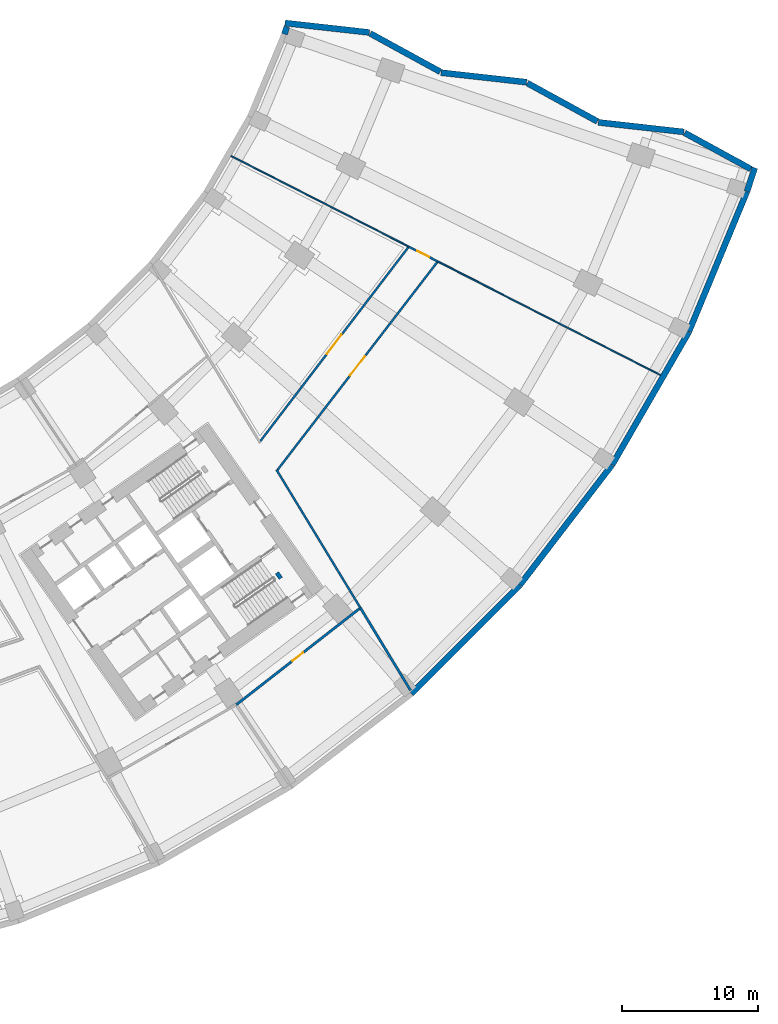
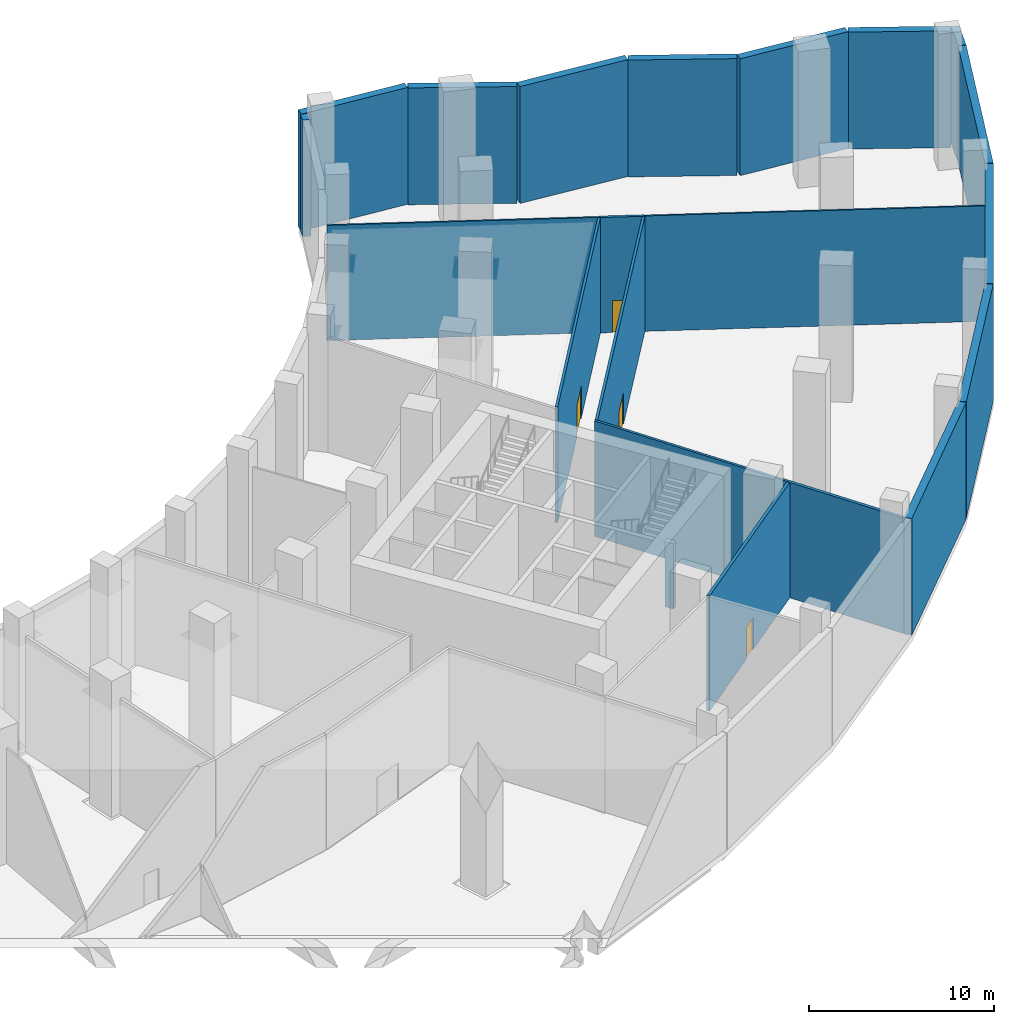
# One storey, part 11 of 17: 21 walls, 4 doors, 4 openings.
"""IFC4 building model written with IfcOpenShell, lengths in metres."""

from ifc_helpers import new_model, si_unit, direction, frame, frame_2d, origin, place, context, subcontext, project, spatial, rectangle, extrude, material, layer, layer_set, type_object, element, fill, save


model = new_model("IFC4")

# Units and contexts
model_context = context("Model", 3, precision=1e-05, world=origin(), true_north=direction((0.0, 1.0)))
body_context = subcontext(model_context, "Body", "Model", "MODEL_VIEW")
ifc_project = project(units=[si_unit("LENGTHUNIT", "METRE"), si_unit("AREAUNIT", "SQUARE_METRE"), si_unit("VOLUMEUNIT", "CUBIC_METRE"), si_unit("PLANEANGLEUNIT", "RADIAN"), si_unit("MASSUNIT", "GRAM", prefix="KILO")], contexts=[model_context])

# Site, building, storey
site_placement = place(None, origin())
site = spatial("IfcSite", under=ifc_project, at=site_placement, CompositionType="ELEMENT")
building_placement = place(site_placement, origin())
building = spatial("IfcBuilding", under=site, at=building_placement, Name="Qamariyya Broadcast Tower", CompositionType="ELEMENT")
storey_placement = place(building_placement, frame((0.0, 0.0, 18.0)))
storey = spatial("IfcBuildingStorey", under=building, at=storey_placement, Name="L02", CompositionType="ELEMENT", Elevation=18.0)

# Wall, opening, door
ifc_material_1 = material(Name="Gypsum board partition")
ifc_layer_1 = layer(ifc_material_1, 0.14990234375)
ifc_layer_set_1 = layer_set([ifc_layer_1], Name="Corridor partition 150 EI 60")
wall_type_1 = type_object("IfcWallType", Name="Corridor partition 150 EI 60", PredefinedType="PARTITIONING", material=ifc_layer_set_1)
wall_1_placement = place(storey_placement, frame((45.548583984375, -46.076171875, 0.0), z_axis=(0.0, 0.0, 1.0), x_axis=(0.606707633542, 0.794925057727, 0.0)))
wall_1 = element("IfcWall", 1, at=wall_1_placement, inside=storey, type_object=wall_type_1, Name="Partition L02-051", PredefinedType="PARTITIONING", context=body_context, shape_type="SweptSolid", body=[
    extrude(rectangle(XDim=17.984619140625, YDim=0.14990234375, at=frame_2d((8.9921875, 0.0))), origin(), (0.0, 0.0, 1.0), 7.60009765625),
])
opening_1_placement = place(wall_1_placement, frame((8.09228515625, 0.0, 0.0)))
opening_1 = element("IfcOpeningElement", 2, at=opening_1_placement, cuts=wall_1, Name="Opening L02-D22", PredefinedType="OPENING", context=body_context, shape_type="SweptSolid", body=[
    extrude(rectangle(XDim=1.800048828125, YDim=2.10009765625, at=frame_2d((0.89990234375, 1.050048828125))), frame((0.0, 0.0849609375, 0.0), z_axis=(0.0, -1.0, 0.0), x_axis=(1.0, 0.0, 0.0)), (0.0, 0.0, 1.0), 0.169921875),
])
ifc_material_2 = material(Name="Timber fire door leaf", Category="wood")
door_type_1 = type_object("IfcDoorType", Name="Double fire door 1800 x 2100 FD60", OperationType="NOTDEFINED", PredefinedType="DOOR", material=ifc_material_2)
door_1_placement = place(opening_1_placement, origin())
door_1 = element("IfcDoor", 3, at=door_1_placement, inside=storey, type_object=door_type_1, Name="Door L02-D22", OperationType="DOUBLE_DOOR_SINGLE_SWING", OverallHeight=2.10009765625, OverallWidth=1.800048828125, PredefinedType="DOOR", context=body_context, shape_type="SweptSolid", body=[
    extrude(rectangle(XDim=1.800048828125, YDim=2.10009765625, at=frame_2d((0.89990234375, 1.050048828125))), frame((0.0, 0.02490234375, 0.0), z_axis=(0.0, -1.0, 0.0), x_axis=(1.0, 0.0, 0.0)), (0.0, 0.0, 1.0), 0.050048828125),
])
fill(opening_1, door_1)

# Wall
wall_2_placement = place(storey_placement, frame((46.743408203125, -48.177490234375, 0.0), z_axis=(0.0, 0.0, 1.0), x_axis=(0.519168806698, -0.854671720693, 0.0)))
element("IfcWall", 4, at=wall_2_placement, inside=storey, type_object=wall_type_1, Name="Partition L02-052", PredefinedType="PARTITIONING", context=body_context, shape_type="SweptSolid", body=[
    extrude(rectangle(XDim=11.927490234375, YDim=0.14990234375, at=frame_2d((5.9638671875, 0.0))), origin(), (0.0, 0.0, 1.0), 7.60009765625),
])

# Wall, opening, door
wall_3_placement = place(storey_placement, frame((58.598876953125, -32.871826171875, 0.0), z_axis=(0.0, 0.0, 1.0), x_axis=(-0.609502407435, -0.792784217383, 0.0)))
wall_3 = element("IfcWall", 5, at=wall_3_placement, inside=storey, type_object=wall_type_1, Name="Partition L02-053", PredefinedType="PARTITIONING", context=body_context, shape_type="SweptSolid", body=[
    extrude(rectangle(XDim=19.31201171875, YDim=0.14990234375, at=frame_2d((9.656005859375, 0.0))), origin(), (0.0, 0.0, 1.0), 7.60009765625),
])
opening_2_placement = place(wall_3_placement, frame((8.756103515625, 0.0, 0.0)))
opening_2 = element("IfcOpeningElement", 6, at=opening_2_placement, cuts=wall_3, Name="Opening L02-D23", PredefinedType="OPENING", context=body_context, shape_type="SweptSolid", body=[
    extrude(rectangle(XDim=1.800048828125, YDim=2.10009765625, at=frame_2d((0.89990234375, 1.050048828125))), frame((0.0, 0.0849609375, 0.0), z_axis=(0.0, -1.0, 0.0), x_axis=(1.0, 0.0, 0.0)), (0.0, 0.0, 1.0), 0.169921875),
])
door_2_placement = place(opening_2_placement, origin())
door_2 = element("IfcDoor", 7, at=door_2_placement, inside=storey, type_object=door_type_1, Name="Door L02-D23", OperationType="DOUBLE_DOOR_SINGLE_SWING", OverallHeight=2.10009765625, OverallWidth=1.800048828125, PredefinedType="DOOR", context=body_context, shape_type="SweptSolid", body=[
    extrude(rectangle(XDim=1.800048828125, YDim=2.10009765625, at=frame_2d((0.89990234375, 1.050048828125))), frame((0.0, 0.02490234375, 0.0), z_axis=(0.0, -1.0, 0.0), x_axis=(1.0, 0.0, 0.0)), (0.0, 0.0, 1.0), 0.050048828125),
])
fill(opening_2, door_2)

wall_4_placement = place(storey_placement, frame((56.50537109375, -31.72021484375, 0.0), z_axis=(0.0, 0.0, 1.0), x_axis=(0.890655190194, -0.454679372944, 0.0)))
wall_4 = element("IfcWall", 8, at=wall_4_placement, inside=storey, type_object=wall_type_1, Name="Partition L02-057", PredefinedType="PARTITIONING", context=body_context, shape_type="SweptSolid", body=[
    extrude(rectangle(XDim=2.40185546875, YDim=0.14990234375, at=frame_2d((1.200927734375, 0.0))), origin(), (0.0, 0.0, 1.0), 7.60009765625),
])
opening_3_placement = place(wall_4_placement, frame((0.700927734375, 0.0, 0.0)))
opening_3 = element("IfcOpeningElement", 9, at=opening_3_placement, cuts=wall_4, Name="Opening L02-D24", PredefinedType="OPENING", context=body_context, shape_type="SweptSolid", body=[
    extrude(rectangle(XDim=1.0, YDim=2.10009765625, at=frame_2d((0.5, 1.050048828125))), frame((0.0, 0.0849609375, 0.0), z_axis=(0.0, -1.0, 0.0), x_axis=(1.0, 0.0, 0.0)), (0.0, 0.0, 1.0), 0.169921875),
])
door_type_2 = type_object("IfcDoorType", Name="Fire door 1000 x 2100 FD60", OperationType="NOTDEFINED", PredefinedType="DOOR", material=ifc_material_2)
door_3_placement = place(opening_3_placement, origin())
door_3 = element("IfcDoor", 10, at=door_3_placement, inside=storey, type_object=door_type_2, Name="Door L02-D24", OperationType="SINGLE_SWING_RIGHT", OverallHeight=2.10009765625, OverallWidth=1.0, PredefinedType="DOOR", context=body_context, shape_type="SweptSolid", body=[
    extrude(rectangle(XDim=1.0, YDim=2.10009765625, at=frame_2d((0.5, 1.050048828125))), frame((0.0, 0.02490234375, 0.0), z_axis=(0.0, -1.0, 0.0), x_axis=(1.0, 0.0, 0.0)), (0.0, 0.0, 1.0), 0.050048828125),
])
fill(opening_3, door_3)

# Walls
ifc_material_3 = material(Name="Concrete C60/75", Category="concrete")
ifc_layer_2 = layer(ifc_material_3, 0.300048828125)
ifc_layer_set_2 = layer_set([ifc_layer_2], Name="Lift shaft wall 300 mm Concrete C60/75")
wall_type_2 = type_object("IfcWallType", Name="Lift shaft wall 300 mm Concrete C60/75", PredefinedType="SOLIDWALL", material=ifc_layer_set_2)
wall_5_placement = place(storey_placement, frame((46.77783203125, -55.782470703125, 0.0), z_axis=(0.0, 0.0, 1.0), x_axis=(0.573822822947, -0.818979467304, 0.0)))
element("IfcWall", 11, at=wall_5_placement, inside=storey, type_object=wall_type_2, Name="k-E-L02-E1PR", PredefinedType="SOLIDWALL", context=body_context, shape_type="SweptSolid", body=[
    extrude(rectangle(XDim=0.5, YDim=0.300048828125, at=frame_2d((0.25, 0.0))), origin(), (0.0, 0.0, 1.0), 4.300048828125),
])
ifc_layer_3 = layer(ifc_material_1, 0.10009765625)
ifc_layer_set_3 = layer_set([ifc_layer_3], Name="Partition 100")
wall_type_3 = type_object("IfcWallType", Name="Partition 100", PredefinedType="PARTITIONING", material=ifc_layer_set_3)
wall_6_placement = place(storey_placement, frame((56.50537109375, -31.72021484375, 0.0), z_axis=(0.0, 0.0, 1.0), x_axis=(-0.890651277392, 0.45468703751, 0.0)))
element("IfcWall", 12, at=wall_6_placement, inside=storey, type_object=wall_type_3, Name="Partition L02-056", PredefinedType="PARTITIONING", context=body_context, shape_type="SweptSolid", body=[
    extrude(rectangle(XDim=14.721923828125, YDim=0.10009765625, at=frame_2d((7.36083984375, 0.0))), origin(), (0.0, 0.0, 1.0), 7.60009765625),
])
wall_7_placement = place(storey_placement, frame((75.07421875, -41.19970703125, 0.0), z_axis=(0.0, 0.0, 1.0), x_axis=(-0.890653048048, 0.454683569093, 0.0)))
element("IfcWall", 13, at=wall_7_placement, inside=storey, type_object=wall_type_3, Name="Partition L02-058", PredefinedType="PARTITIONING", context=body_context, shape_type="SweptSolid", body=[
    extrude(rectangle(XDim=18.44677734375, YDim=0.10009765625, at=frame_2d((9.223388671875, 0.0))), origin(), (0.0, 0.0, 1.0), 7.60009765625),
])
ifc_material_4 = material(Name="Precast concrete C40/50 with terracotta facing", Category="masonry")
ifc_layer_4 = layer(ifc_material_4, 0.449951171875)
ifc_layer_set_4 = layer_set([ifc_layer_4], Name="Precast concrete C40/50 wall 450, terracotta faced")
wall_type_4 = type_object("IfcWallType", Name="Precast concrete C40/50 wall 450, terracotta faced", PredefinedType="SOLIDWALL", material=ifc_layer_set_4)
wall_8_placement = place(storey_placement, frame((81.734130859375, -25.98974609375, 0.0), z_axis=(0.0, 0.0, 1.0), x_axis=(-0.877209140108, 0.480108450781, 0.0)))
element("IfcWall", 14, at=wall_8_placement, inside=storey, type_object=wall_type_4, Name="e-wl-L02-capE0", PredefinedType="SOLIDWALL", context=body_context, shape_type="SweptSolid", body=[
    extrude(rectangle(XDim=5.552978515625, YDim=0.449951171875, at=frame_2d((2.7763671875, 0.0))), origin(), (0.0, 0.0, 1.0), 7.699951171875),
])
wall_9_placement = place(storey_placement, frame((76.803955078125, -23.254638671875, 0.0), z_axis=(0.0, 0.0, 1.0), x_axis=(-0.993813805196, 0.111059086081, 0.0)))
element("IfcWall", 15, at=wall_9_placement, inside=storey, type_object=wall_type_4, Name="e-wl-L02-capE1", PredefinedType="SOLIDWALL", context=body_context, shape_type="SweptSolid", body=[
    extrude(rectangle(XDim=6.36181640625, YDim=0.449951171875, at=frame_2d((3.180908203125, 0.0))), origin(), (0.0, 0.0, 1.0), 7.699951171875),
])
wall_10_placement = place(storey_placement, frame((70.42236328125, -22.47900390625, 0.0), z_axis=(0.0, 0.0, 1.0), x_axis=(-0.877230259454, 0.480069861477, 0.0)))
element("IfcWall", 16, at=wall_10_placement, inside=storey, type_object=wall_type_4, Name="e-wl-L02-capE2", PredefinedType="SOLIDWALL", context=body_context, shape_type="SweptSolid", body=[
    extrude(rectangle(XDim=5.883544921875, YDim=0.449951171875, at=frame_2d((2.94189453125, 0.0))), origin(), (0.0, 0.0, 1.0), 7.699951171875),
])
wall_11_placement = place(storey_placement, frame((65.201904296875, -19.58544921875, 0.0), z_axis=(0.0, 0.0, 1.0), x_axis=(-0.993818963433, 0.111012917816, 0.0)))
element("IfcWall", 17, at=wall_11_placement, inside=storey, type_object=wall_type_4, Name="e-wl-L02-capE3", PredefinedType="SOLIDWALL", context=body_context, shape_type="SweptSolid", body=[
    extrude(rectangle(XDim=6.360107421875, YDim=0.449951171875, at=frame_2d((3.18017578125, 0.0))), origin(), (0.0, 0.0, 1.0), 7.699951171875),
])
wall_12_placement = place(storey_placement, frame((58.822021484375, -18.810302734375, 0.0), z_axis=(0.0, 0.0, 1.0), x_axis=(-0.87728135657, 0.479976480064, 0.0)))
element("IfcWall", 18, at=wall_12_placement, inside=storey, type_object=wall_type_4, Name="e-wl-L02-capE4", PredefinedType="SOLIDWALL", context=body_context, shape_type="SweptSolid", body=[
    extrude(rectangle(XDim=5.885498046875, YDim=0.449951171875, at=frame_2d((2.94287109375, 0.0))), origin(), (0.0, 0.0, 1.0), 7.699951171875),
])
wall_13_placement = place(storey_placement, frame((53.599365234375, -15.916015625, 0.0), z_axis=(0.0, 0.0, 1.0), x_axis=(-0.993827533543, 0.110936168908, 0.0)))
element("IfcWall", 19, at=wall_13_placement, inside=storey, type_object=wall_type_4, Name="e-wl-L02-capE5", PredefinedType="SOLIDWALL", context=body_context, shape_type="SweptSolid", body=[
    extrude(rectangle(XDim=6.265380859375, YDim=0.449951171875, at=frame_2d((3.1328125, 0.0))), origin(), (0.0, 0.0, 1.0), 7.699951171875),
])
wall_14_placement = place(storey_placement, frame((47.508544921875, -15.497314453125, 0.0), z_axis=(0.0, 0.0, 1.0), x_axis=(-0.311474670585, -0.950254455177, 0.0)))
element("IfcWall", 20, at=wall_14_placement, inside=storey, type_object=wall_type_4, Name="e-wl-L02-in200", PredefinedType="SOLIDWALL", context=body_context, shape_type="SweptSolid", body=[
    extrude(rectangle(XDim=0.570556640625, YDim=0.449951171875, at=frame_2d((0.28515625, 0.0))), origin(), (0.0, 0.0, 1.0), 7.699951171875),
])
wall_15_placement = place(storey_placement, frame((56.69873046875, -64.69775390625, 0.0), z_axis=(0.0, 0.0, 1.0), x_axis=(0.707106781187, 0.707106781187, 0.0)))
element("IfcWall", 21, at=wall_15_placement, inside=storey, type_object=wall_type_4, Name="e-wl-L02-out160", PredefinedType="SOLIDWALL", context=body_context, shape_type="SweptSolid", body=[
    extrude(rectangle(XDim=11.312255859375, YDim=0.449951171875, at=frame_2d((5.65625, 0.0))), origin(), (0.0, 0.0, 1.0), 7.699951171875),
])
wall_16_placement = place(storey_placement, frame((64.712646484375, -56.673095703125, 0.0), z_axis=(0.0, 0.0, 1.0), x_axis=(0.608758773695, 0.793355377778, 0.0)))
element("IfcWall", 22, at=wall_16_placement, inside=storey, type_object=wall_type_4, Name="e-wl-L02-out170", PredefinedType="SOLIDWALL", context=body_context, shape_type="SweptSolid", body=[
    extrude(rectangle(XDim=11.134765625, YDim=0.449951171875, at=frame_2d((5.5673828125, 0.0))), origin(), (0.0, 0.0, 1.0), 7.699951171875),
])
wall_17_placement = place(storey_placement, frame((71.51171875, -47.818603515625, 0.0), z_axis=(0.0, 0.0, 1.0), x_axis=(0.500001430823, 0.866024577697, 0.0)))
element("IfcWall", 23, at=wall_17_placement, inside=storey, type_object=wall_type_4, Name="e-wl-L02-out180", PredefinedType="SOLIDWALL", context=body_context, shape_type="SweptSolid", body=[
    extrude(rectangle(XDim=11.3125, YDim=0.449951171875, at=frame_2d((5.65625, 0.0))), origin(), (0.0, 0.0, 1.0), 7.699951171875),
])
wall_18_placement = place(storey_placement, frame((77.175537109375, -37.9931640625, 0.0), z_axis=(0.0, 0.0, 1.0), x_axis=(0.382700611107, 0.923872416656, 0.0)))
element("IfcWall", 24, at=wall_18_placement, inside=storey, type_object=wall_type_4, Name="e-wl-L02-out190", PredefinedType="SOLIDWALL", context=body_context, shape_type="SweptSolid", body=[
    extrude(rectangle(XDim=11.167724609375, YDim=0.449951171875, at=frame_2d((5.583984375, 0.0))), origin(), (0.0, 0.0, 1.0), 7.699951171875),
])
wall_19_placement = place(storey_placement, frame((81.456787109375, -27.66015625, 0.0), z_axis=(0.0, 0.0, 1.0), x_axis=(0.311621150825, 0.95020642934, 0.0)))
element("IfcWall", 25, at=wall_19_placement, inside=storey, type_object=wall_type_4, Name="e-wl-L02-out200", PredefinedType="SOLIDWALL", context=body_context, shape_type="SweptSolid", body=[
    extrude(rectangle(XDim=1.845703125, YDim=0.449951171875, at=frame_2d((0.9228515625, 0.0))), origin(), (0.0, 0.0, 1.0), 7.699951171875),
])

# Wall, opening, door
ifc_layer_5 = layer(ifc_material_1, 0.179931640625)
ifc_layer_set_5 = layer_set([ifc_layer_5], Name="Studio acoustic partition 180 EI 60")
wall_type_5 = type_object("IfcWallType", Name="Studio acoustic partition 180 EI 60", PredefinedType="PARTITIONING", material=ifc_layer_set_5)
wall_20_placement = place(storey_placement, frame((52.86474609375, -58.427001953125, 0.0), z_axis=(0.0, 0.0, 1.0), x_axis=(-0.788252635542, -0.615351755146, 0.0)))
wall_20 = element("IfcWall", 26, at=wall_20_placement, inside=storey, type_object=wall_type_5, Name="Partition L02-050", PredefinedType="PARTITIONING", context=body_context, shape_type="SweptSolid", body=[
    extrude(rectangle(XDim=11.5263671875, YDim=0.179931640625, at=frame_2d((5.76318359375, 0.0))), origin(), (0.0, 0.0, 1.0), 7.60009765625),
])
opening_4_placement = place(wall_20_placement, frame((5.26318359375, 0.0, 0.0)))
opening_4 = element("IfcOpeningElement", 27, at=opening_4_placement, cuts=wall_20, Name="Opening L02-D21", PredefinedType="OPENING", context=body_context, shape_type="SweptSolid", body=[
    extrude(rectangle(XDim=1.0, YDim=2.10009765625, at=frame_2d((0.5, 1.050048828125))), frame((0.0, 0.099853515625, 0.0), z_axis=(0.0, -1.0, 0.0), x_axis=(1.0, 0.0, 0.0)), (0.0, 0.0, 1.0), 0.199951171875),
])
door_4_placement = place(opening_4_placement, origin())
door_4 = element("IfcDoor", 28, at=door_4_placement, inside=storey, type_object=door_type_2, Name="Door L02-D21", OperationType="SINGLE_SWING_RIGHT", OverallHeight=2.10009765625, OverallWidth=1.0, PredefinedType="DOOR", context=body_context, shape_type="SweptSolid", body=[
    extrude(rectangle(XDim=1.0, YDim=2.10009765625, at=frame_2d((0.5, 1.050048828125))), frame((0.0, 0.02490234375, 0.0), z_axis=(0.0, -1.0, 0.0), x_axis=(1.0, 0.0, 0.0)), (0.0, 0.0, 1.0), 0.050048828125),
])
fill(opening_4, door_4)

# Wall
wall_21_placement = place(storey_placement, frame((52.935791015625, -58.37158203125, 0.0), z_axis=(0.0, 0.0, 1.0), x_axis=(0.519148894699, -0.854683815883, 0.0)))
element("IfcWall", 29, at=wall_21_placement, inside=storey, type_object=wall_type_5, Name="Partition L02-055", PredefinedType="PARTITIONING", context=body_context, shape_type="SweptSolid", body=[
    extrude(rectangle(XDim=7.12548828125, YDim=0.179931640625, at=frame_2d((3.562744140625, 0.0))), origin(), (0.0, 0.0, 1.0), 7.60009765625),
])

save(model, "model.ifc")
